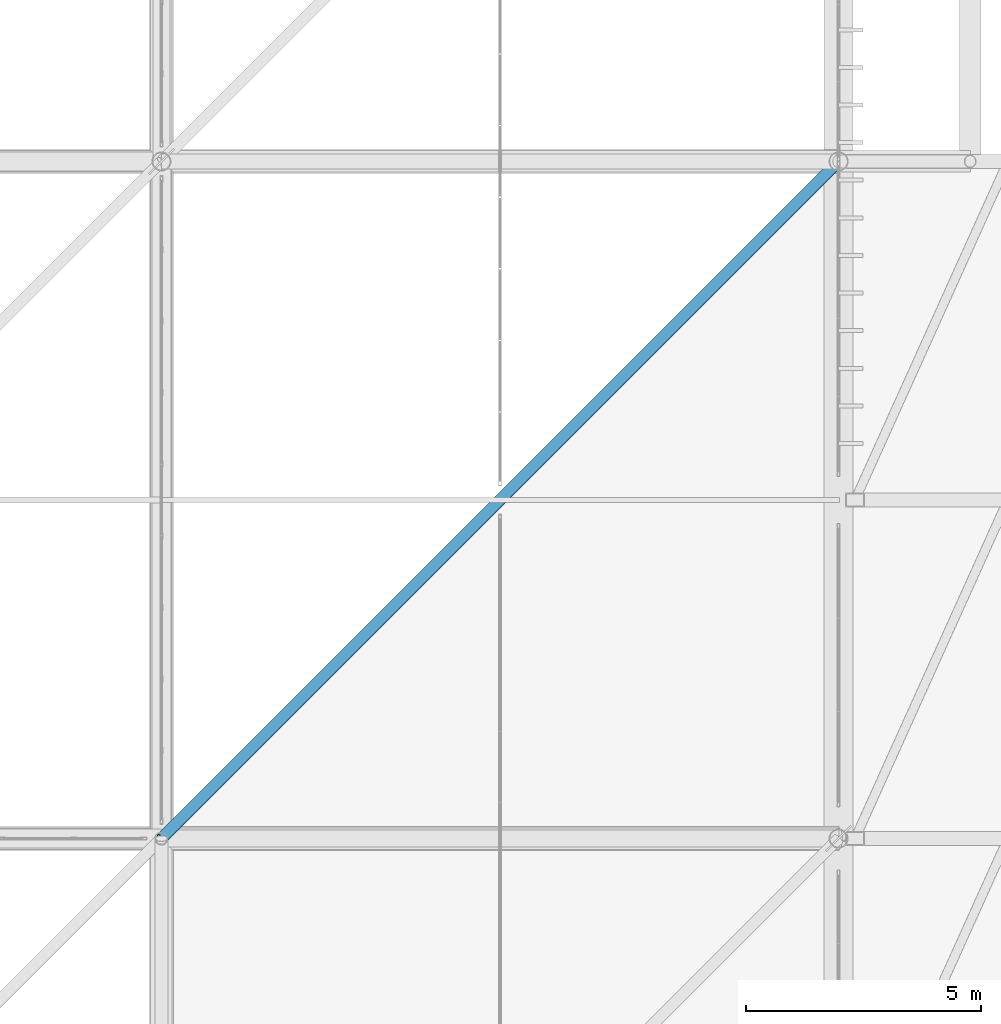
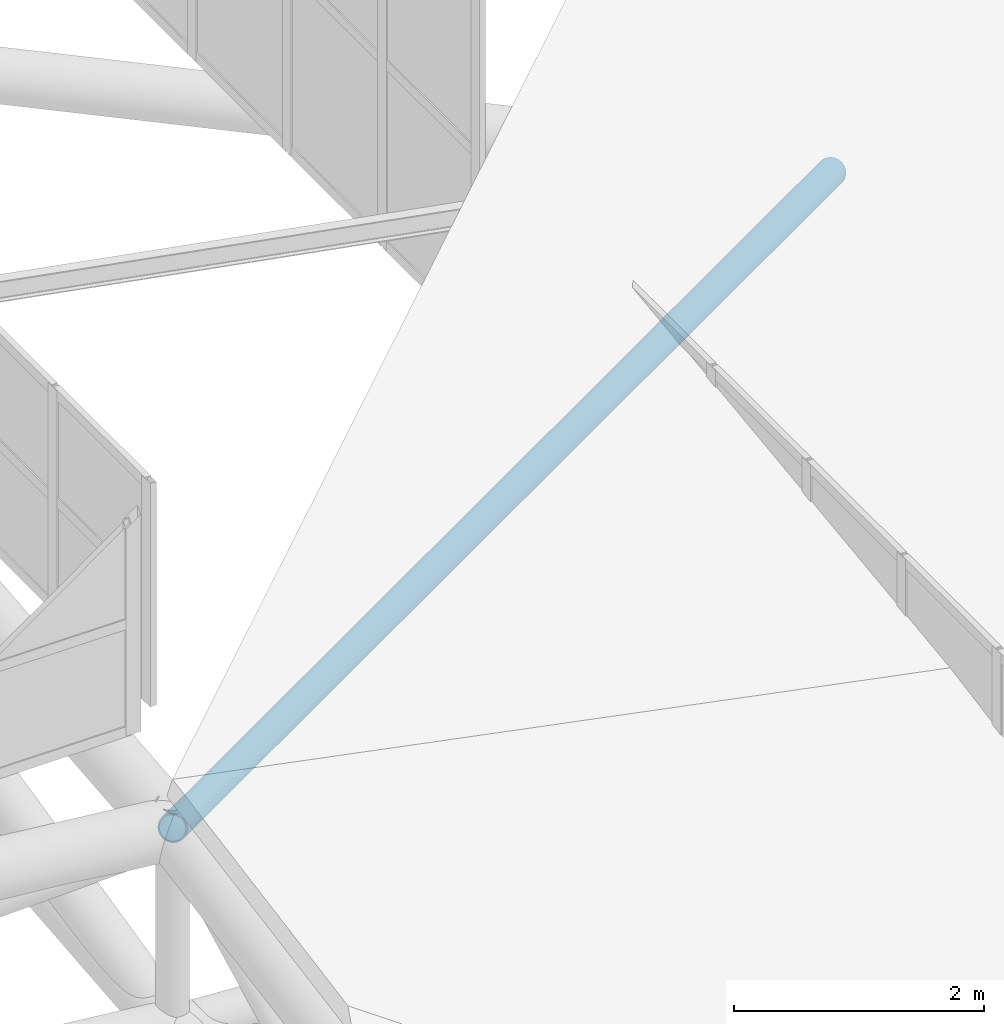
# One storey, part 142 of 397: 1 member.
"""IFC4 building model written with IfcOpenShell, lengths in metres."""

from ifc_helpers import new_model, si_unit, direction, frame, origin, origin_2d, place, context, subcontext, project, spatial, hollow_circle, extrude, material, material_profile, profile_set, type_object, element, save


model = new_model("IFC4")

# Units and contexts
model_context = context("Model", 3, precision=1e-05, world=origin(), true_north=direction((0.0, 1.0)))
body_context = subcontext(model_context, "Body", "Model", "MODEL_VIEW")
ifc_project = project(units=[si_unit("LENGTHUNIT", "METRE"), si_unit("AREAUNIT", "SQUARE_METRE"), si_unit("VOLUMEUNIT", "CUBIC_METRE"), si_unit("PLANEANGLEUNIT", "RADIAN"), si_unit("MASSUNIT", "GRAM", prefix="KILO")], contexts=[model_context])

# Site, building, storey
site_placement = place(None, origin())
site = spatial("IfcSite", under=ifc_project, at=site_placement, CompositionType="ELEMENT")
building_placement = place(site_placement, origin())
building = spatial("IfcBuilding", under=site, at=building_placement, Name="Qandorah Velis Arena", CompositionType="ELEMENT")
storey_placement = place(building_placement, frame((0.0, 0.0, 27.5)))
storey = spatial("IfcBuildingStorey", under=building, at=storey_placement, Name="RF", CompositionType="ELEMENT", Elevation=27.5)

# Member
ifc_material = material(Name="Steel S355", Category="steel")
ifc_material_profile = material_profile(ifc_material, hollow_circle(Radius=0.122314453125, WallThickness=0.012451171875, at=origin_2d()), Name="CHS 244.5x12.5")
ifc_profile_set = profile_set([ifc_material_profile], Name="Steel S355")
member_type = type_object("IfcMemberType", Name="STR-SFD-CHS244X12", PredefinedType="STRUT", material=ifc_profile_set)
member_placement = place(storey_placement, frame((115.199951171875, 43.199951171875, 0.10009765625), z_axis=(-0.664953320397, -0.664953320397, 0.340109046315), x_axis=(0.707106781187, -0.707106781187, 0.0)))
element("IfcMember", 1, at=member_placement, inside=storey, type_object=member_type, Name="Space frame roof spatial diagonal 6.1", PredefinedType="STRUT", context=body_context, shape_type="SweptSolid", body=[
    extrude(hollow_circle(Radius=0.122314453125, WallThickness=0.012451171875, at=origin_2d()), origin(), (0.0, 0.0, 1.0), 21.655517578125),
])

save(model, "model.ifc")
